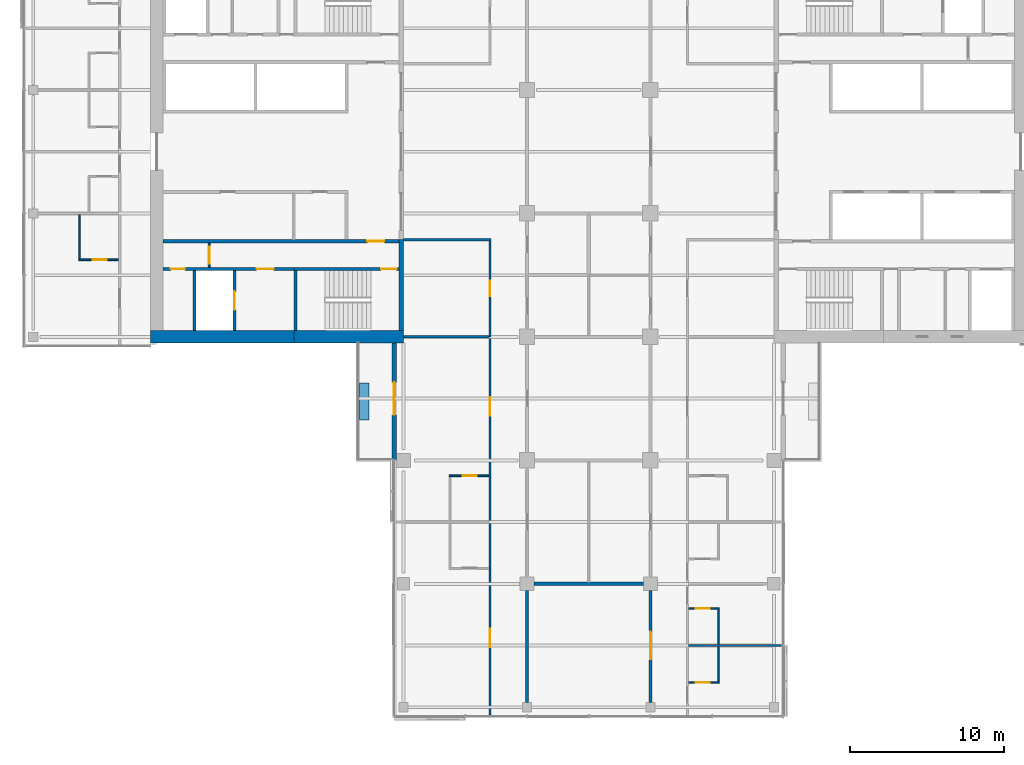
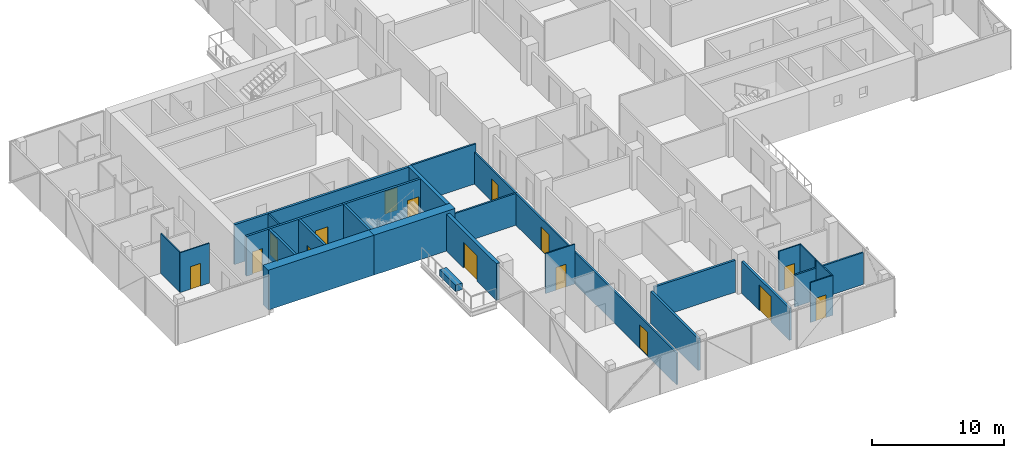
# One storey, part 14 of 25: 27 walls, 15 doors, 15 openings.
"""IFC4 building model written with IfcOpenShell, lengths in metres."""

from ifc_helpers import new_model, si_unit, direction, frame, frame_2d, origin, place, context, subcontext, project, spatial, rectangle, extrude, material, layer, layer_set, constituent, constituent_set, type_object, element, fill, save


model = new_model("IFC4")

# Units and contexts
model_context = context("Model", 3, precision=1e-05, world=origin(), true_north=direction((0.0, 1.0)))
body_context = subcontext(model_context, "Body", "Model", "MODEL_VIEW")
ifc_project = project(units=[si_unit("LENGTHUNIT", "METRE"), si_unit("AREAUNIT", "SQUARE_METRE"), si_unit("VOLUMEUNIT", "CUBIC_METRE"), si_unit("PLANEANGLEUNIT", "RADIAN"), si_unit("MASSUNIT", "GRAM", prefix="KILO")], contexts=[model_context])

# Site, building, storey
site_placement = place(None, origin())
site = spatial("IfcSite", under=ifc_project, at=site_placement, CompositionType="ELEMENT")
building_placement = place(site_placement, origin())
building = spatial("IfcBuilding", under=site, at=building_placement, Name="Crosswind Convention Tower", CompositionType="ELEMENT")
storey_placement = place(building_placement, frame((0.0, 0.0, 97.89990234375)))
storey = spatial("IfcBuildingStorey", under=building, at=storey_placement, Name="L19", CompositionType="ELEMENT", Elevation=97.89990234375)

# Wall
ifc_material_1 = material(Name="Plasterboard partition", Category="gypsum")
ifc_layer_1 = layer(ifc_material_1, 0.14990234375)
ifc_layer_set_1 = layer_set([ifc_layer_1], Name="CORRIDOR WALL 150")
wall_type_1 = type_object("IfcWallType", Name="CORRIDOR WALL 150", PredefinedType="PARTITIONING", material=ifc_layer_set_1)
wall_1_placement = place(storey_placement, frame((113.0, 94.300048828125, 0.0), z_axis=(0.0, 0.0, 1.0), x_axis=(1.0, 0.0, 0.0)))
element("IfcWall", 1, at=wall_1_placement, inside=storey, type_object=wall_type_1, Name="Corridor Wall 20", PredefinedType="PARTITIONING", context=body_context, shape_type="SweptSolid", body=[
    extrude(rectangle(XDim=5.675048828125, YDim=0.14990234375, at=frame_2d((2.83740234375, 0.0))), origin(), (0.0, 0.0, 1.0), 3.7001953125),
])

# Wall, opening, door
wall_2_placement = place(storey_placement, frame((118.60009765625, 88.0, 0.0), z_axis=(0.0, 0.0, 1.0), x_axis=(0.0, 1.0, 0.0)))
wall_2 = element("IfcWall", 2, at=wall_2_placement, inside=storey, type_object=wall_type_1, Name="Corridor Wall 63", PredefinedType="PARTITIONING", context=body_context, shape_type="SweptSolid", body=[
    extrude(rectangle(XDim=6.22509765625, YDim=0.14990234375, at=frame_2d((3.112548828125, 0.0))), origin(), (0.0, 0.0, 1.0), 2.95654296875),
])
opening_1_placement = place(wall_2_placement, frame((2.64990234375, 0.0, 0.0)))
opening_1 = element("IfcOpeningElement", 3, at=opening_1_placement, cuts=wall_2, Name="Opening 19.004", PredefinedType="OPENING", context=body_context, shape_type="SweptSolid", body=[
    extrude(rectangle(XDim=1.0, YDim=2.10009765625, at=frame_2d((0.5, 1.050048828125))), frame((0.0, 0.0849609375, 0.0), z_axis=(0.0, -1.0, 0.0), x_axis=(1.0, 0.0, 0.0)), (0.0, 0.0, 1.0), 0.169921875),
])
ifc_material_2 = material(Name="Timber fire door", Category="wood")
door_type_1 = type_object("IfcDoorType", Name="SERVICE ROOM DOOR 1000X2100", OperationType="NOTDEFINED", PredefinedType="DOOR", material=ifc_material_2)
door_1_placement = place(opening_1_placement, origin())
door_1 = element("IfcDoor", 4, at=door_1_placement, inside=storey, type_object=door_type_1, Name="Door 19.004", ObjectType="D3", OperationType="SINGLE_SWING_RIGHT", OverallHeight=2.10009765625, OverallWidth=1.0, PredefinedType="DOOR", context=body_context, shape_type="SweptSolid", body=[
    extrude(rectangle(XDim=1.0, YDim=2.10009765625, at=frame_2d((0.5, 1.050048828125))), frame((0.0, 0.02490234375, 0.0), z_axis=(0.0, -1.0, 0.0), x_axis=(1.0, 0.0, 0.0)), (0.0, 0.0, 1.0), 0.050048828125),
])
fill(opening_1, door_1)

# Wall
ifc_material_3 = material(Name="Concrete C50/60", Category="concrete")
ifc_layer_2 = layer(ifc_material_3, 0.300048828125)
ifc_layer_set_2 = layer_set([ifc_layer_2], Name="Concrete C50/60")
wall_type_2 = type_object("IfcWallType", Name="Concrete inner core wall 300", PredefinedType="SHEAR", material=ifc_layer_set_2)
wall_3_placement = place(storey_placement, frame((112.85009765625, 94.300048828125, 0.0), z_axis=(0.0, 0.0, 1.0), x_axis=(0.0, -1.0, 0.0)))
element("IfcWall", 5, at=wall_3_placement, inside=storey, type_object=wall_type_2, Name="Wall EP W L19", PredefinedType="SHEAR", context=body_context, shape_type="SweptSolid", body=[
    extrude(rectangle(XDim=5.900146484375, YDim=0.300048828125, at=frame_2d((2.9501953125, 0.0))), origin(), (0.0, 0.0, 1.0), 3.7001953125),
])

# Wall, opening, door
ifc_layer_3 = layer(ifc_material_3, 0.199951171875)
ifc_layer_set_3 = layer_set([ifc_layer_3], Name="Concrete C50/60")
wall_type_3 = type_object("IfcWallType", Name="Concrete shaft and stair wall 200", PredefinedType="SHEAR", material=ifc_layer_set_3)
wall_4_placement = place(storey_placement, frame((112.699951171875, 94.199951171875, 0.0), z_axis=(0.0, 0.0, 1.0), x_axis=(-1.0, 0.0, 0.0)))
wall_4 = element("IfcWall", 6, at=wall_4_placement, inside=storey, type_object=wall_type_3, Name="Wall HP W L19", PredefinedType="SHEAR", context=body_context, shape_type="SweptSolid", body=[
    extrude(rectangle(XDim=15.300048828125, YDim=0.199951171875, at=frame_2d((7.64990234375, 0.0))), origin(), (0.0, 0.0, 1.0), 3.7001953125),
])
opening_2_placement = place(wall_4_placement, frame((0.949951171875, 0.0, 0.0)))
opening_2 = element("IfcOpeningElement", 7, at=opening_2_placement, cuts=wall_4, Name="Opening D104", PredefinedType="OPENING", context=body_context, shape_type="SweptSolid", body=[
    extrude(rectangle(XDim=1.10009765625, YDim=2.10009765625, at=frame_2d((0.550048828125, 1.050048828125))), frame((0.0, 0.10986328125, 0.0), z_axis=(0.0, -1.0, 0.0), x_axis=(1.0, 0.0, 0.0)), (0.0, 0.0, 1.0), 0.219970703125),
])
ifc_material_4 = material(Name="Steel fire door", Category="steel")
door_type_2 = type_object("IfcDoorType", Name="Fire-rated single door 1100x2100", OperationType="NOTDEFINED", PredefinedType="DOOR", material=ifc_material_4)
door_2_placement = place(opening_2_placement, origin())
door_2 = element("IfcDoor", 8, at=door_2_placement, inside=storey, type_object=door_type_2, Name="Corridor door L19", ObjectType="D104", OperationType="SINGLE_SWING_LEFT", OverallHeight=2.10009765625, OverallWidth=1.10009765625, PredefinedType="DOOR", context=body_context, shape_type="SweptSolid", body=[
    extrude(rectangle(XDim=1.10009765625, YDim=2.10009765625, at=frame_2d((0.550048828125, 1.050048828125))), frame((0.0, 0.02490234375, 0.0), z_axis=(0.0, -1.0, 0.0), x_axis=(1.0, 0.0, 0.0)), (0.0, 0.0, 1.0), 0.050048828125),
])
fill(opening_2, door_2)

# Wall
wall_5_placement = place(storey_placement, frame((106.0, 92.300048828125, 0.0), z_axis=(0.0, 0.0, 1.0), x_axis=(0.0, -1.0, 0.0)))
element("IfcWall", 9, at=wall_5_placement, inside=storey, type_object=wall_type_3, Name="Wall PSE W L19", PredefinedType="SHEAR", context=body_context, shape_type="SweptSolid", body=[
    extrude(rectangle(XDim=3.900146484375, YDim=0.199951171875, at=frame_2d((1.9501953125, 0.0))), origin(), (0.0, 0.0, 1.0), 3.7001953125),
])

# Wall, opening, door
wall_6_placement = place(storey_placement, frame((102.050048828125, 92.300048828125, 0.0), z_axis=(0.0, 0.0, 1.0), x_axis=(0.0, -1.0, 0.0)))
wall_6 = element("IfcWall", 10, at=wall_6_placement, inside=storey, type_object=wall_type_3, Name="Wall PFLW W L19", PredefinedType="SHEAR", context=body_context, shape_type="SweptSolid", body=[
    extrude(rectangle(XDim=3.900146484375, YDim=0.199951171875, at=frame_2d((1.9501953125, 0.0))), origin(), (0.0, 0.0, 1.0), 3.7001953125),
])
opening_3_placement = place(wall_6_placement, frame((1.35009765625, 0.0, 0.0)))
opening_3 = element("IfcOpeningElement", 11, at=opening_3_placement, cuts=wall_6, Name="Opening LD1", PredefinedType="OPENING", context=body_context, shape_type="SweptSolid", body=[
    extrude(rectangle(XDim=1.199951171875, YDim=2.10009765625, at=frame_2d((0.60009765625, 1.050048828125))), frame((0.0, 0.10986328125, 0.0), z_axis=(0.0, -1.0, 0.0), x_axis=(1.0, 0.0, 0.0)), (0.0, 0.0, 1.0), 0.219970703125),
])
ifc_material_5 = material(Name="Stainless steel", Category="steel")
door_type_3 = type_object("IfcDoorType", Name="Lift landing door 1200x2100", OperationType="DOUBLE_DOOR_SLIDING", PredefinedType="DOOR", material=ifc_material_5)
door_3_placement = place(opening_3_placement, origin())
door_3 = element("IfcDoor", 12, at=door_3_placement, inside=storey, type_object=door_type_3, Name="Landing door FF2 L19", ObjectType="LD1", OperationType="DOUBLE_DOOR_SLIDING", OverallHeight=2.10009765625, OverallWidth=1.199951171875, PredefinedType="DOOR", context=body_context, shape_type="SweptSolid", body=[
    extrude(rectangle(XDim=1.199951171875, YDim=2.10009765625, at=frame_2d((0.60009765625, 1.050048828125))), frame((0.0, 0.02490234375, 0.0), z_axis=(0.0, -1.0, 0.0), x_axis=(1.0, 0.0, 0.0)), (0.0, 0.0, 1.0), 0.050048828125),
])
fill(opening_3, door_3)

# Wall
wall_7_placement = place(storey_placement, frame((99.449951171875, 92.300048828125, 0.0), z_axis=(0.0, 0.0, 1.0), x_axis=(0.0, -1.0, 0.0)))
element("IfcWall", 13, at=wall_7_placement, inside=storey, type_object=wall_type_3, Name="Wall PFSE W L19", PredefinedType="SHEAR", context=body_context, shape_type="SweptSolid", body=[
    extrude(rectangle(XDim=3.900146484375, YDim=0.199951171875, at=frame_2d((1.9501953125, 0.0))), origin(), (0.0, 0.0, 1.0), 3.7001953125),
])

# Wall, opening, door
wall_8_placement = place(storey_placement, frame((112.699951171875, 92.39990234375, 0.0), z_axis=(0.0, 0.0, 1.0), x_axis=(-1.0, 0.0, 0.0)))
wall_8 = element("IfcWall", 14, at=wall_8_placement, inside=storey, type_object=wall_type_3, Name="Wall PCW W L19", PredefinedType="SHEAR", context=body_context, shape_type="SweptSolid", body=[
    extrude(rectangle(XDim=6.800048828125, YDim=0.199951171875, at=frame_2d((3.39990234375, 0.0))), origin(), (0.0, 0.0, 1.0), 3.7001953125),
])
opening_4_placement = place(wall_8_placement, frame((0.14990234375, 0.0, 0.0)))
opening_4 = element("IfcOpeningElement", 15, at=opening_4_placement, cuts=wall_8, Name="Opening D103", PredefinedType="OPENING", context=body_context, shape_type="SweptSolid", body=[
    extrude(rectangle(XDim=1.0, YDim=2.10009765625, at=frame_2d((0.5, 1.050048828125))), frame((0.0, 0.10986328125, 0.0), z_axis=(0.0, -1.0, 0.0), x_axis=(1.0, 0.0, 0.0)), (0.0, 0.0, 1.0), 0.219970703125),
])
door_type_4 = type_object("IfcDoorType", Name="Fire-rated single door 1000x2100", OperationType="NOTDEFINED", PredefinedType="DOOR", material=ifc_material_4)
door_4_placement = place(opening_4_placement, origin())
door_4 = element("IfcDoor", 16, at=door_4_placement, inside=storey, type_object=door_type_4, Name="Stair ST3 door L19", ObjectType="D103", OperationType="SINGLE_SWING_LEFT", OverallHeight=2.10009765625, OverallWidth=1.0, PredefinedType="DOOR", context=body_context, shape_type="SweptSolid", body=[
    extrude(rectangle(XDim=1.0, YDim=2.10009765625, at=frame_2d((0.5, 1.050048828125))), frame((0.0, 0.02490234375, 0.0), z_axis=(0.0, -1.0, 0.0), x_axis=(1.0, 0.0, 0.0)), (0.0, 0.0, 1.0), 0.050048828125),
])
fill(opening_4, door_4)

# Wall, openings, doors
wall_9_placement = place(storey_placement, frame((105.89990234375, 92.39990234375, 0.0), z_axis=(0.0, 0.0, 1.0), x_axis=(-1.0, 0.0, 0.0)))
wall_9 = element("IfcWall", 17, at=wall_9_placement, inside=storey, type_object=wall_type_3, Name="Wall PCX W L19", PredefinedType="SHEAR", context=body_context, shape_type="SweptSolid", body=[
    extrude(rectangle(XDim=8.5, YDim=0.199951171875, at=frame_2d((4.25, 0.0))), origin(), (0.0, 0.0, 1.0), 3.7001953125),
])
opening_5_placement = place(wall_9_placement, frame((1.324951171875, 0.0, 0.0)))
opening_5 = element("IfcOpeningElement", 18, at=opening_5_placement, cuts=wall_9, Name="Opening D104", PredefinedType="OPENING", context=body_context, shape_type="SweptSolid", body=[
    extrude(rectangle(XDim=1.10009765625, YDim=2.10009765625, at=frame_2d((0.550048828125, 1.050048828125))), frame((0.0, 0.10986328125, 0.0), z_axis=(0.0, -1.0, 0.0), x_axis=(1.0, 0.0, 0.0)), (0.0, 0.0, 1.0), 0.219970703125),
])
opening_6_placement = place(wall_9_placement, frame((7.074951171875, 0.0, 0.0)))
opening_6 = element("IfcOpeningElement", 19, at=opening_6_placement, cuts=wall_9, Name="Opening D106", PredefinedType="OPENING", context=body_context, shape_type="SweptSolid", body=[
    extrude(rectangle(XDim=0.89990234375, YDim=2.10009765625, at=frame_2d((0.449951171875, 1.050048828125))), frame((0.0, 0.10986328125, 0.0), z_axis=(0.0, -1.0, 0.0), x_axis=(1.0, 0.0, 0.0)), (0.0, 0.0, 1.0), 0.219970703125),
])
door_5_placement = place(opening_5_placement, origin())
door_5 = element("IfcDoor", 20, at=door_5_placement, inside=storey, type_object=door_type_2, Name="Fire-fighting lobby FF2 door L19", ObjectType="D104", OperationType="SINGLE_SWING_RIGHT", OverallHeight=2.10009765625, OverallWidth=1.10009765625, PredefinedType="DOOR", context=body_context, shape_type="SweptSolid", body=[
    extrude(rectangle(XDim=1.10009765625, YDim=2.10009765625, at=frame_2d((0.550048828125, 1.050048828125))), frame((0.0, 0.02490234375, 0.0), z_axis=(0.0, -1.0, 0.0), x_axis=(1.0, 0.0, 0.0)), (0.0, 0.0, 1.0), 0.050048828125),
])
fill(opening_5, door_5)
ifc_material_6 = material(Name="Timber door", Category="wood")
door_type_5 = type_object("IfcDoorType", Name="Single leaf door 900x2100", OperationType="NOTDEFINED", PredefinedType="DOOR", material=ifc_material_6)
door_6_placement = place(opening_6_placement, origin())
door_6 = element("IfcDoor", 21, at=door_6_placement, inside=storey, type_object=door_type_5, Name="Door to telecoms room L19", ObjectType="D106", OperationType="SINGLE_SWING_RIGHT", OverallHeight=2.10009765625, OverallWidth=0.89990234375, PredefinedType="DOOR", context=body_context, shape_type="SweptSolid", body=[
    extrude(rectangle(XDim=0.89990234375, YDim=2.10009765625, at=frame_2d((0.449951171875, 1.050048828125))), frame((0.0, 0.02490234375, 0.0), z_axis=(0.0, -1.0, 0.0), x_axis=(1.0, 0.0, 0.0)), (0.0, 0.0, 1.0), 0.050048828125),
])
fill(opening_6, door_6)

# Wall, opening, door
ifc_material_7 = material(Name="Gypsum plasterboard partition", Category="gypsum")
ifc_layer_4 = layer(ifc_material_7, 0.125)
ifc_layer_set_4 = layer_set([ifc_layer_4], Name="Drywall partition wall 125")
wall_type_4 = type_object("IfcWallType", Name="Drywall partition wall 125", PredefinedType="PARTITIONING", material=ifc_layer_set_4)
wall_10_placement = place(storey_placement, frame((100.39990234375, 94.10009765625, 0.0), z_axis=(0.0, 0.0, 1.0), x_axis=(0.0, -1.0, 0.0)))
wall_10 = element("IfcWall", 22, at=wall_10_placement, inside=storey, type_object=wall_type_4, Name="Wall PXC1 W L19", PredefinedType="PARTITIONING", context=body_context, shape_type="SweptSolid", body=[
    extrude(rectangle(XDim=1.60009765625, YDim=0.125, at=frame_2d((0.800048828125, 0.0))), origin(), (0.0, 0.0, 1.0), 3.7001953125),
])
opening_7_placement = place(wall_10_placement, frame((0.25, 0.0, 0.0)))
opening_7 = element("IfcOpeningElement", 23, at=opening_7_placement, cuts=wall_10, Name="Opening D104", PredefinedType="OPENING", context=body_context, shape_type="SweptSolid", body=[
    extrude(rectangle(XDim=1.10009765625, YDim=2.10009765625, at=frame_2d((0.550048828125, 1.050048828125))), frame((0.0, 0.072509765625, 0.0), z_axis=(0.0, -1.0, 0.0), x_axis=(1.0, 0.0, 0.0)), (0.0, 0.0, 1.0), 0.14501953125),
])
door_7_placement = place(opening_7_placement, origin())
door_7 = element("IfcDoor", 24, at=door_7_placement, inside=storey, type_object=door_type_2, Name="Corridor smoke door L19", ObjectType="D104", OperationType="SINGLE_SWING_RIGHT", OverallHeight=2.10009765625, OverallWidth=1.10009765625, PredefinedType="DOOR", context=body_context, shape_type="SweptSolid", body=[
    extrude(rectangle(XDim=1.10009765625, YDim=2.10009765625, at=frame_2d((0.550048828125, 1.050048828125))), frame((0.0, 0.02490234375, 0.0), z_axis=(0.0, -1.0, 0.0), x_axis=(1.0, 0.0, 0.0)), (0.0, 0.0, 1.0), 0.050048828125),
])
fill(opening_7, door_7)

# Walls
ifc_material_8 = material(Name="Acoustic plasterboard partition", Category="gypsum")
ifc_layer_5 = layer(ifc_material_8, 0.14990234375)
ifc_layer_set_5 = layer_set([ifc_layer_5], Name="GUEST ROOM WALL 150")
wall_type_5 = type_object("IfcWallType", Name="GUEST ROOM WALL 150", PredefinedType="PARTITIONING", material=ifc_layer_set_5)
wall_11_placement = place(storey_placement, frame((131.47509765625, 68.0, 0.0), z_axis=(0.0, 0.0, 1.0), x_axis=(1.0, 0.0, 0.0)))
element("IfcWall", 25, at=wall_11_placement, inside=storey, type_object=wall_type_5, Name="Guest Room Wall 2", PredefinedType="PARTITIONING", context=body_context, shape_type="SweptSolid", body=[
    extrude(rectangle(XDim=6.02490234375, YDim=0.14990234375, at=frame_2d((3.012451171875, 0.0))), origin(), (0.0, 0.0, 1.0), 2.962890625),
])
wall_12_placement = place(storey_placement, frame((113.0, 88.0, 0.0), z_axis=(0.0, 0.0, 1.0), x_axis=(1.0, 0.0, 0.0)))
element("IfcWall", 26, at=wall_12_placement, inside=storey, type_object=wall_type_5, Name="Guest Room Wall 13", PredefinedType="PARTITIONING", context=body_context, shape_type="SweptSolid", body=[
    extrude(rectangle(XDim=5.52490234375, YDim=0.14990234375, at=frame_2d((2.762451171875, 0.0))), origin(), (0.0, 0.0, 1.0), 2.95654296875),
])

# Wall, openings, doors
wall_13_placement = place(storey_placement, frame((118.60009765625, 63.5, 0.0), z_axis=(0.0, 0.0, 1.0), x_axis=(0.0, 1.0, 0.0)))
wall_13 = element("IfcWall", 27, at=wall_13_placement, inside=storey, type_object=wall_type_5, Name="Guest Room Wall 62", PredefinedType="PARTITIONING", context=body_context, shape_type="SweptSolid", body=[
    extrude(rectangle(XDim=24.5, YDim=0.14990234375, at=frame_2d((12.25, 0.0))), origin(), (0.0, 0.0, 1.0), 2.95654296875),
])
opening_8_placement = place(wall_13_placement, frame((19.39990234375, 0.0, 0.0)))
opening_8 = element("IfcOpeningElement", 28, at=opening_8_placement, cuts=wall_13, Name="Opening 19.023", PredefinedType="OPENING", context=body_context, shape_type="SweptSolid", body=[
    extrude(rectangle(XDim=1.199951171875, YDim=2.199951171875, at=frame_2d((0.60009765625, 1.10009765625))), frame((0.0, 0.0849609375, 0.0), z_axis=(0.0, -1.0, 0.0), x_axis=(1.0, 0.0, 0.0)), (0.0, 0.0, 1.0), 0.169921875),
])
opening_9_placement = place(wall_13_placement, frame((4.39990234375, 0.0, 0.0)))
opening_9 = element("IfcOpeningElement", 29, at=opening_9_placement, cuts=wall_13, Name="Opening 19.025", PredefinedType="OPENING", context=body_context, shape_type="SweptSolid", body=[
    extrude(rectangle(XDim=1.199951171875, YDim=2.199951171875, at=frame_2d((0.60009765625, 1.10009765625))), frame((0.0, 0.0849609375, 0.0), z_axis=(0.0, -1.0, 0.0), x_axis=(1.0, 0.0, 0.0)), (0.0, 0.0, 1.0), 0.169921875),
])
door_type_6 = type_object("IfcDoorType", Name="SUITE DOOR 1200X2200", OperationType="DOUBLE_DOOR_SINGLE_SWING", PredefinedType="DOOR", material=ifc_material_2)
door_8_placement = place(opening_8_placement, origin())
door_8 = element("IfcDoor", 30, at=door_8_placement, inside=storey, type_object=door_type_6, Name="Door 19.023", ObjectType="D14", OperationType="DOUBLE_DOOR_SINGLE_SWING", OverallHeight=2.199951171875, OverallWidth=1.199951171875, PredefinedType="DOOR", context=body_context, shape_type="SweptSolid", body=[
    extrude(rectangle(XDim=1.199951171875, YDim=2.199951171875, at=frame_2d((0.60009765625, 1.10009765625))), frame((0.0, 0.02490234375, 0.0), z_axis=(0.0, -1.0, 0.0), x_axis=(1.0, 0.0, 0.0)), (0.0, 0.0, 1.0), 0.050048828125),
])
fill(opening_8, door_8)
door_9_placement = place(opening_9_placement, origin())
door_9 = element("IfcDoor", 31, at=door_9_placement, inside=storey, type_object=door_type_6, Name="Door 19.025", ObjectType="D14", OperationType="DOUBLE_DOOR_SINGLE_SWING", OverallHeight=2.199951171875, OverallWidth=1.199951171875, PredefinedType="DOOR", context=body_context, shape_type="SweptSolid", body=[
    extrude(rectangle(XDim=1.199951171875, YDim=2.199951171875, at=frame_2d((0.60009765625, 1.10009765625))), frame((0.0, 0.02490234375, 0.0), z_axis=(0.0, -1.0, 0.0), x_axis=(1.0, 0.0, 0.0)), (0.0, 0.0, 1.0), 0.050048828125),
])
fill(opening_9, door_9)

# Walls
ifc_material_9 = material(Name="Double plasterboard partition", Category="gypsum")
ifc_layer_6 = layer(ifc_material_9, 0.199951171875)
ifc_layer_set_6 = layer_set([ifc_layer_6], Name="HALL WALL 200")
wall_type_6 = type_object("IfcWallType", Name="HALL WALL 200", PredefinedType="PARTITIONING", material=ifc_layer_set_6)
wall_14_placement = place(storey_placement, frame((121.449951171875, 72.0, 0.0), z_axis=(0.0, 0.0, 1.0), x_axis=(1.0, 0.0, 0.0)))
element("IfcWall", 32, at=wall_14_placement, inside=storey, type_object=wall_type_6, Name="Hall Wall 4", PredefinedType="PARTITIONING", context=body_context, shape_type="SweptSolid", body=[
    extrude(rectangle(XDim=7.10009765625, YDim=0.199951171875, at=frame_2d((3.550048828125, 0.0))), origin(), (0.0, 0.0, 1.0), 2.9599609375),
])
wall_15_placement = place(storey_placement, frame((121.0, 64.300048828125, 0.0), z_axis=(0.0, 0.0, 1.0), x_axis=(0.0, 1.0, 0.0)))
element("IfcWall", 33, at=wall_15_placement, inside=storey, type_object=wall_type_6, Name="Hall Wall 66", PredefinedType="PARTITIONING", context=body_context, shape_type="SweptSolid", body=[
    extrude(rectangle(XDim=7.25, YDim=0.199951171875, at=frame_2d((3.625, 0.0))), origin(), (0.0, 0.0, 1.0), 2.9599609375),
])

# Wall, opening, door
wall_16_placement = place(storey_placement, frame((129.0, 64.300048828125, 0.0), z_axis=(0.0, 0.0, 1.0), x_axis=(0.0, 1.0, 0.0)))
wall_16 = element("IfcWall", 34, at=wall_16_placement, inside=storey, type_object=wall_type_6, Name="Hall Wall 80", PredefinedType="PARTITIONING", context=body_context, shape_type="SweptSolid", body=[
    extrude(rectangle(XDim=7.25, YDim=0.199951171875, at=frame_2d((3.625, 0.0))), origin(), (0.0, 0.0, 1.0), 2.9599609375),
])
opening_10_placement = place(wall_16_placement, frame((2.800048828125, 0.0, 0.0)))
opening_10 = element("IfcOpeningElement", 35, at=opening_10_placement, cuts=wall_16, Name="Opening 19.043", PredefinedType="OPENING", context=body_context, shape_type="SweptSolid", body=[
    extrude(rectangle(XDim=1.800048828125, YDim=2.39990234375, at=frame_2d((0.89990234375, 1.199951171875))), frame((0.0, 0.10986328125, 0.0), z_axis=(0.0, -1.0, 0.0), x_axis=(1.0, 0.0, 0.0)), (0.0, 0.0, 1.0), 0.219970703125),
])
door_type_7 = type_object("IfcDoorType", Name="HALL DOUBLE DOOR 1800X2400", OperationType="DOUBLE_DOOR_SINGLE_SWING", PredefinedType="DOOR", material=ifc_material_2)
door_10_placement = place(opening_10_placement, frame((1.800048828125, 0.0, 0.0), z_axis=(0.0, 0.0, 1.0), x_axis=(-1.0, 0.0, 0.0)))
door_10 = element("IfcDoor", 36, at=door_10_placement, inside=storey, type_object=door_type_7, Name="Door 19.043", ObjectType="D5", OperationType="DOUBLE_DOOR_SINGLE_SWING", OverallHeight=2.39990234375, OverallWidth=1.800048828125, PredefinedType="DOOR", context=body_context, shape_type="SweptSolid", body=[
    extrude(rectangle(XDim=1.800048828125, YDim=2.39990234375, at=frame_2d((0.89990234375, 1.199951171875))), frame((0.0, 0.02490234375, 0.0), z_axis=(0.0, -1.0, 0.0), x_axis=(1.0, 0.0, 0.0)), (0.0, 0.0, 1.0), 0.050048828125),
])
fill(opening_10, door_10)

# Wall
ifc_material_10 = material(Name="Concrete C30/37", Category="concrete")
ifc_layer_7 = layer(ifc_material_10, 0.60009765625)
ifc_layer_set_7 = layer_set([ifc_layer_7], Name="Concrete C30/37")
wall_type_7 = type_object("IfcWallType", Name="PLANTER BOX WALL 600", PredefinedType="SOLIDWALL", material=ifc_layer_set_7)
wall_17_placement = place(storey_placement, frame((110.449951171875, 85.0, 0.0), z_axis=(0.0, 0.0, 1.0), x_axis=(0.0, -1.0, 0.0)))
element("IfcWall", 37, at=wall_17_placement, inside=storey, type_object=wall_type_7, Name="PLANTER L19 S-W.1-1", PredefinedType="SOLIDWALL", context=body_context, shape_type="SweptSolid", body=[
    extrude(rectangle(XDim=2.39990234375, YDim=0.60009765625, at=frame_2d((1.199951171875, 0.0))), origin(), (0.0, 0.0, 1.0), 0.60009765625),
])

# Wall, opening, door
ifc_material_11 = material(Name="Terracotta rainscreen", Category="ceramic")
ifc_layer_8 = layer(ifc_material_11, 0.02001953125)
ifc_material_12 = material(Name="Mineral wool insulation", Category="insulation")
ifc_layer_9 = layer(ifc_material_12, 0.10009765625)
ifc_material_13 = material(Name="Concrete blockwork", Category="masonry")
ifc_layer_10 = layer(ifc_material_13, 0.179931640625)
ifc_layer_set_8 = layer_set([ifc_layer_8, ifc_layer_9, ifc_layer_10], Name="TERRACOTTA INFILL WALL 300")
wall_type_8 = type_object("IfcWallType", Name="TERRACOTTA INFILL WALL 300", PredefinedType="SOLIDWALL", material=ifc_layer_set_8)
wall_18_placement = place(storey_placement, frame((112.39990234375, 87.60009765625, 0.0), z_axis=(0.0, 0.0, 1.0), x_axis=(0.0, -1.0, 0.0)))
wall_18 = element("IfcWall", 38, at=wall_18_placement, inside=storey, type_object=wall_type_8, Name="Notch front wall L19 S-W.1-1", PredefinedType="SOLIDWALL", context=body_context, shape_type="SweptSolid", body=[
    extrude(rectangle(XDim=7.567626953125, YDim=0.300048828125, at=frame_2d((3.78369140625, 0.0))), origin(), (0.0, 0.0, 1.0), 3.420166015625),
])
opening_11_placement = place(wall_18_placement, frame((2.550048828125, 0.0, 0.0)))
opening_11 = element("IfcOpeningElement", 39, at=opening_11_placement, cuts=wall_18, Name="Opening D141", PredefinedType="OPENING", context=body_context, shape_type="SweptSolid", body=[
    extrude(rectangle(XDim=2.10009765625, YDim=2.39990234375, at=frame_2d((1.050048828125, 1.199951171875))), frame((0.0, 0.159912109375, 0.0), z_axis=(0.0, -1.0, 0.0), x_axis=(1.0, 0.0, 0.0)), (0.0, 0.0, 1.0), 0.320068359375),
])
ifc_material_14 = material(Name="Aluminium glazed door", Category="aluminium")
door_type_8 = type_object("IfcDoorType", Name="BALCONY SLIDING DOOR 2100X2400", OperationType="SLIDING_TO_LEFT", PredefinedType="DOOR", material=ifc_material_14)
door_11_placement = place(opening_11_placement, frame((2.10009765625, 0.0, 0.0), z_axis=(0.0, 0.0, 1.0), x_axis=(-1.0, 0.0, 0.0)))
door_11 = element("IfcDoor", 40, at=door_11_placement, inside=storey, type_object=door_type_8, Name="D141 balcony door L19 S-W.1-1", ObjectType="D141", OperationType="SLIDING_TO_LEFT", OverallHeight=2.39990234375, OverallWidth=2.10009765625, PredefinedType="DOOR", context=body_context, shape_type="SweptSolid", body=[
    extrude(rectangle(XDim=2.10009765625, YDim=2.39990234375, at=frame_2d((1.050048828125, 1.199951171875))), frame((0.0, 0.02490234375, 0.0), z_axis=(0.0, -1.0, 0.0), x_axis=(1.0, 0.0, 0.0)), (0.0, 0.0, 1.0), 0.050048828125),
])
fill(opening_11, door_11)

# Walls
ifc_material_15 = material(Name="Concrete C60/75", Category="concrete")
ifc_constituent_1 = constituent(ifc_material_15, Name="Structure")
ifc_constituent_2 = constituent(ifc_material_11, Name="Facing")
ifc_constituent_set = constituent_set(constituents=[ifc_constituent_1, ifc_constituent_2], Name="Concrete C60/75, Terracotta rainscreen")
wall_type_9 = type_object("IfcWallType", Name="Terracotta rainscreen on concrete core wall 800", PredefinedType="SHEAR", material=ifc_constituent_set)
wall_19_placement = place(storey_placement, frame((113.0, 88.0, 0.0), z_axis=(0.0, 0.0, 1.0), x_axis=(-1.0, 0.0, 0.0)))
element("IfcWall", 41, at=wall_19_placement, inside=storey, type_object=wall_type_9, Name="Wall N1 W L19", PredefinedType="SHEAR", context=body_context, shape_type="SweptSolid", body=[
    extrude(rectangle(XDim=7.10009765625, YDim=0.800048828125, at=frame_2d((3.550048828125, 0.0))), origin(), (0.0, 0.0, 1.0), 3.7001953125),
])
wall_20_placement = place(storey_placement, frame((105.89990234375, 88.0, 0.0), z_axis=(0.0, 0.0, 1.0), x_axis=(-1.0, 0.0, 0.0)))
element("IfcWall", 42, at=wall_20_placement, inside=storey, type_object=wall_type_9, Name="Wall N2 W L19", PredefinedType="SHEAR", context=body_context, shape_type="SweptSolid", body=[
    extrude(rectangle(XDim=9.2998046875, YDim=0.800048828125, at=frame_2d((4.64990234375, 0.0))), origin(), (0.0, 0.0, 1.0), 3.7001953125),
])

# Wall, opening, door
ifc_material_16 = material(Name="Water-resistant plasterboard partition", Category="gypsum")
ifc_layer_11 = layer(ifc_material_16, 0.10009765625)
ifc_layer_set_9 = layer_set([ifc_layer_11], Name="WET ROOM PARTITION 100")
wall_type_10 = type_object("IfcWallType", Name="WET ROOM PARTITION 100", PredefinedType="PLUMBINGWALL", material=ifc_layer_set_9)
wall_21_placement = place(storey_placement, frame((131.47509765625, 65.60009765625, 0.0), z_axis=(0.0, 0.0, 1.0), x_axis=(1.0, 0.0, 0.0)))
wall_21 = element("IfcWall", 43, at=wall_21_placement, inside=storey, type_object=wall_type_10, Name="Wet Room Partition 1", PredefinedType="PLUMBINGWALL", context=body_context, shape_type="SweptSolid", body=[
    extrude(rectangle(XDim=1.974853515625, YDim=0.10009765625, at=frame_2d((0.9873046875, 0.0))), origin(), (0.0, 0.0, 1.0), 3.7001953125),
])
opening_12_placement = place(wall_21_placement, frame((0.47509765625, 0.0, 0.0)))
opening_12 = element("IfcOpeningElement", 44, at=opening_12_placement, cuts=wall_21, Name="Opening 19.022", PredefinedType="OPENING", context=body_context, shape_type="SweptSolid", body=[
    extrude(rectangle(XDim=0.89990234375, YDim=2.10009765625, at=frame_2d((0.449951171875, 1.050048828125))), frame((0.0, 0.06005859375, 0.0), z_axis=(0.0, -1.0, 0.0), x_axis=(1.0, 0.0, 0.0)), (0.0, 0.0, 1.0), 0.1201171875),
])
door_type_9 = type_object("IfcDoorType", Name="EN-SUITE DOOR 900X2100", OperationType="NOTDEFINED", PredefinedType="DOOR", material=ifc_material_6)
door_12_placement = place(opening_12_placement, origin())
door_12 = element("IfcDoor", 45, at=door_12_placement, inside=storey, type_object=door_type_9, Name="Door 19.022", ObjectType="D2", OperationType="SINGLE_SWING_RIGHT", OverallHeight=2.10009765625, OverallWidth=0.89990234375, PredefinedType="DOOR", context=body_context, shape_type="SweptSolid", body=[
    extrude(rectangle(XDim=0.89990234375, YDim=2.10009765625, at=frame_2d((0.449951171875, 1.050048828125))), frame((0.0, 0.02490234375, 0.0), z_axis=(0.0, -1.0, 0.0), x_axis=(1.0, 0.0, 0.0)), (0.0, 0.0, 1.0), 0.050048828125),
])
fill(opening_12, door_12)

wall_22_placement = place(storey_placement, frame((131.47509765625, 70.39990234375, 0.0), z_axis=(0.0, 0.0, 1.0), x_axis=(1.0, 0.0, 0.0)))
wall_22 = element("IfcWall", 46, at=wall_22_placement, inside=storey, type_object=wall_type_10, Name="Wet Room Partition 3", PredefinedType="PLUMBINGWALL", context=body_context, shape_type="SweptSolid", body=[
    extrude(rectangle(XDim=1.974853515625, YDim=0.10009765625, at=frame_2d((0.9873046875, 0.0))), origin(), (0.0, 0.0, 1.0), 3.7001953125),
])
opening_13_placement = place(wall_22_placement, frame((0.47509765625, 0.0, 0.0)))
opening_13 = element("IfcOpeningElement", 47, at=opening_13_placement, cuts=wall_22, Name="Opening 19.020", PredefinedType="OPENING", context=body_context, shape_type="SweptSolid", body=[
    extrude(rectangle(XDim=0.89990234375, YDim=2.10009765625, at=frame_2d((0.449951171875, 1.050048828125))), frame((0.0, 0.06005859375, 0.0), z_axis=(0.0, -1.0, 0.0), x_axis=(1.0, 0.0, 0.0)), (0.0, 0.0, 1.0), 0.1201171875),
])
door_13_placement = place(opening_13_placement, frame((0.89990234375, 0.0, 0.0), z_axis=(0.0, 0.0, 1.0), x_axis=(-1.0, 0.0, 0.0)))
door_13 = element("IfcDoor", 48, at=door_13_placement, inside=storey, type_object=door_type_9, Name="Door 19.020", ObjectType="D2", OperationType="SINGLE_SWING_LEFT", OverallHeight=2.10009765625, OverallWidth=0.89990234375, PredefinedType="DOOR", context=body_context, shape_type="SweptSolid", body=[
    extrude(rectangle(XDim=0.89990234375, YDim=2.10009765625, at=frame_2d((0.449951171875, 1.050048828125))), frame((0.0, 0.02490234375, 0.0), z_axis=(0.0, -1.0, 0.0), x_axis=(1.0, 0.0, 0.0)), (0.0, 0.0, 1.0), 0.050048828125),
])
fill(opening_13, door_13)

wall_23_placement = place(storey_placement, frame((115.949951171875, 79.0, 0.0), z_axis=(0.0, 0.0, 1.0), x_axis=(1.0, 0.0, 0.0)))
wall_23 = element("IfcWall", 49, at=wall_23_placement, inside=storey, type_object=wall_type_10, Name="Wet Room Partition 10", PredefinedType="PLUMBINGWALL", context=body_context, shape_type="SweptSolid", body=[
    extrude(rectangle(XDim=2.574951171875, YDim=0.10009765625, at=frame_2d((1.28759765625, 0.0))), origin(), (0.0, 0.0, 1.0), 3.7001953125),
])
opening_14_placement = place(wall_23_placement, frame((0.89990234375, 0.0, 0.0)))
opening_14 = element("IfcOpeningElement", 50, at=opening_14_placement, cuts=wall_23, Name="Opening 19.024", PredefinedType="OPENING", context=body_context, shape_type="SweptSolid", body=[
    extrude(rectangle(XDim=0.89990234375, YDim=2.10009765625, at=frame_2d((0.449951171875, 1.050048828125))), frame((0.0, 0.06005859375, 0.0), z_axis=(0.0, -1.0, 0.0), x_axis=(1.0, 0.0, 0.0)), (0.0, 0.0, 1.0), 0.1201171875),
])
door_14_placement = place(opening_14_placement, frame((0.89990234375, 0.0, 0.0), z_axis=(0.0, 0.0, 1.0), x_axis=(-1.0, 0.0, 0.0)))
door_14 = element("IfcDoor", 51, at=door_14_placement, inside=storey, type_object=door_type_9, Name="Door 19.024", ObjectType="D2", OperationType="SINGLE_SWING_LEFT", OverallHeight=2.10009765625, OverallWidth=0.89990234375, PredefinedType="DOOR", context=body_context, shape_type="SweptSolid", body=[
    extrude(rectangle(XDim=0.89990234375, YDim=2.10009765625, at=frame_2d((0.449951171875, 1.050048828125))), frame((0.0, 0.02490234375, 0.0), z_axis=(0.0, -1.0, 0.0), x_axis=(1.0, 0.0, 0.0)), (0.0, 0.0, 1.0), 0.050048828125),
])
fill(opening_14, door_14)

wall_24_placement = place(storey_placement, frame((91.949951171875, 93.0, 0.0), z_axis=(0.0, 0.0, 1.0), x_axis=(1.0, 0.0, 0.0)))
wall_24 = element("IfcWall", 52, at=wall_24_placement, inside=storey, type_object=wall_type_10, Name="Wet Room Partition 18", PredefinedType="PLUMBINGWALL", context=body_context, shape_type="SweptSolid", body=[
    extrude(rectangle(XDim=2.574951171875, YDim=0.10009765625, at=frame_2d((1.28759765625, 0.0))), origin(), (0.0, 0.0, 1.0), 3.7001953125),
])
opening_15_placement = place(wall_24_placement, frame((0.89990234375, 0.0, 0.0)))
opening_15 = element("IfcOpeningElement", 53, at=opening_15_placement, cuts=wall_24, Name="Opening 19.034", PredefinedType="OPENING", context=body_context, shape_type="SweptSolid", body=[
    extrude(rectangle(XDim=0.89990234375, YDim=2.10009765625, at=frame_2d((0.449951171875, 1.050048828125))), frame((0.0, 0.06005859375, 0.0), z_axis=(0.0, -1.0, 0.0), x_axis=(1.0, 0.0, 0.0)), (0.0, 0.0, 1.0), 0.1201171875),
])
door_15_placement = place(opening_15_placement, origin())
door_15 = element("IfcDoor", 54, at=door_15_placement, inside=storey, type_object=door_type_9, Name="Door 19.034", ObjectType="D2", OperationType="SINGLE_SWING_RIGHT", OverallHeight=2.10009765625, OverallWidth=0.89990234375, PredefinedType="DOOR", context=body_context, shape_type="SweptSolid", body=[
    extrude(rectangle(XDim=0.89990234375, YDim=2.10009765625, at=frame_2d((0.449951171875, 1.050048828125))), frame((0.0, 0.02490234375, 0.0), z_axis=(0.0, -1.0, 0.0), x_axis=(1.0, 0.0, 0.0)), (0.0, 0.0, 1.0), 0.050048828125),
])
fill(opening_15, door_15)

# Walls
wall_25_placement = place(storey_placement, frame((92.0, 93.050048828125, 0.0), z_axis=(0.0, 0.0, 1.0), x_axis=(0.0, 1.0, 0.0)))
element("IfcWall", 55, at=wall_25_placement, inside=storey, type_object=wall_type_10, Name="Wet Room Partition 51", PredefinedType="PLUMBINGWALL", context=body_context, shape_type="SweptSolid", body=[
    extrude(rectangle(XDim=2.875, YDim=0.10009765625, at=frame_2d((1.4375, 0.0))), origin(), (0.0, 0.0, 1.0), 3.7001953125),
])
for number, where, z_axis, x_axis, name in (
    (56, (133.39990234375, 65.64990234375, 0.0), (0.0, 0.0, 1.0), (0.0, 1.0, 0.0), "Wet Room Partition 93"),
    (57, (133.39990234375, 68.074951171875, 0.0), (0.0, 0.0, 1.0), (0.0, 1.0, 0.0), "Wet Room Partition 94"),
):
    element("IfcWall", number, at=place(storey_placement, frame(where, z_axis=z_axis, x_axis=x_axis)), inside=storey, type_object=wall_type_10, Name=name, PredefinedType="PLUMBINGWALL", context=body_context, shape_type="SweptSolid", body=[
        extrude(rectangle(XDim=2.275146484375, YDim=0.10009765625, at=frame_2d((1.1376953125, 0.0))), origin(), (0.0, 0.0, 1.0), 3.7001953125),
    ])

save(model, "model.ifc")
